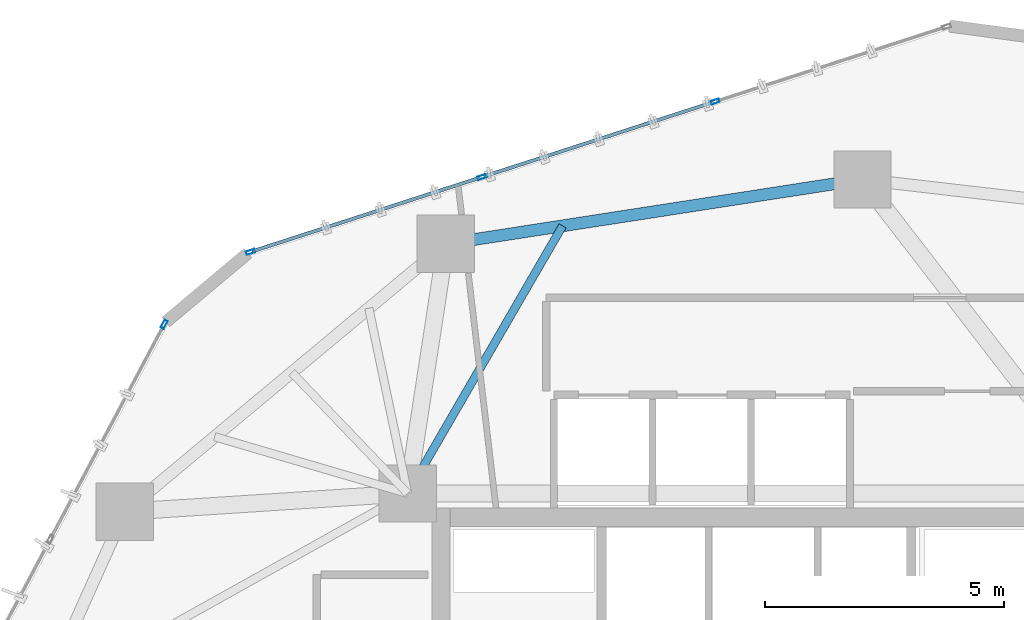
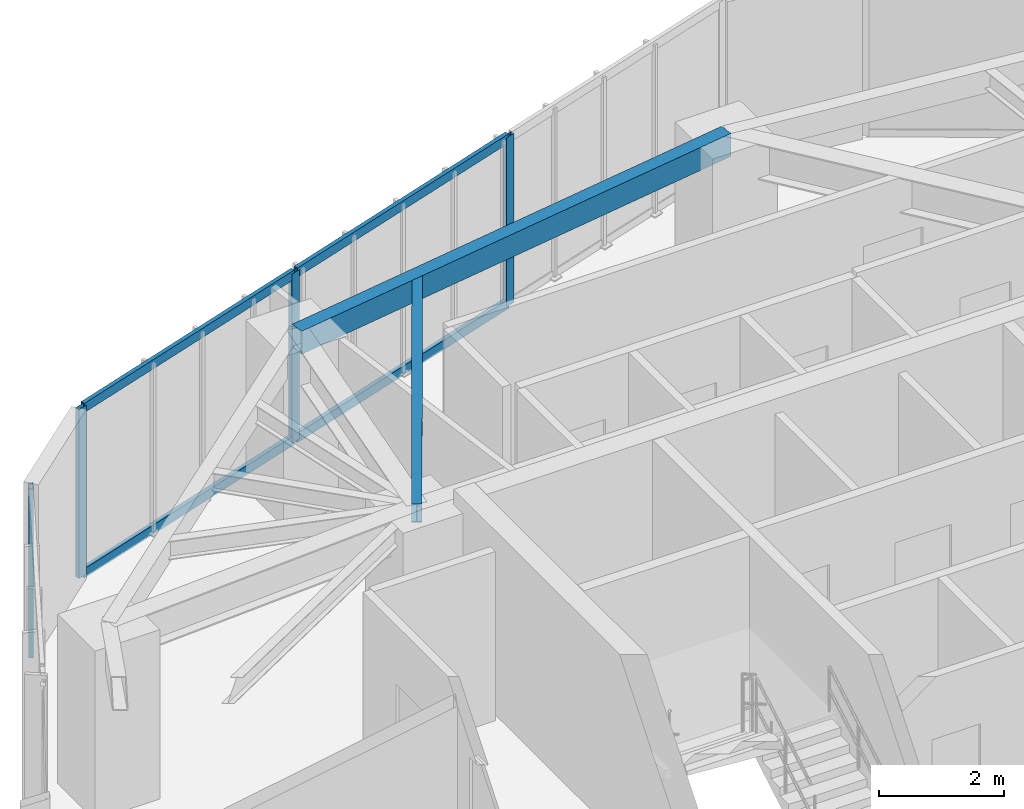
# One storey, part 12 of 21: 8 members, 2 beams, 2 elements without a shape of their own.
"""IFC4 building model written with IfcOpenShell, lengths in metres."""

from ifc_helpers import new_model, si_unit, direction, frame, origin, origin_2d, place, context, subcontext, project, spatial, hollow_rectangle, i_section, extrude, source, transform, mapped, material, layer, layer_set, material_profile, profile_set, type_object, type_shapes, element, aggregate, save


model = new_model("IFC4")

# Units and contexts
model_context = context("Model", 3, precision=1e-05, world=origin(), true_north=direction((0.0, 1.0)))
body_context = subcontext(model_context, "Body", "Model", "MODEL_VIEW")
ifc_project = project(units=[si_unit("LENGTHUNIT", "METRE"), si_unit("AREAUNIT", "SQUARE_METRE"), si_unit("VOLUMEUNIT", "CUBIC_METRE"), si_unit("PLANEANGLEUNIT", "RADIAN"), si_unit("MASSUNIT", "GRAM", prefix="KILO")], contexts=[model_context])

# Site, building, storey
site_placement = place(None, origin())
site = spatial("IfcSite", under=ifc_project, at=site_placement, CompositionType="ELEMENT")
building_placement = place(site_placement, origin())
building = spatial("IfcBuilding", under=site, at=building_placement, Name="Talar Marvaseh", CompositionType="ELEMENT")
storey_placement = place(building_placement, frame((0.0, 0.0, 143.39990234375)))
storey = spatial("IfcBuildingStorey", under=building, at=storey_placement, Name="L37", CompositionType="ELEMENT", Elevation=143.39990234375)

# Beams
ifc_material_1 = material(Name="Steel S355", Category="steel")
ifc_material_profile_1 = material_profile(ifc_material_1, hollow_rectangle(XDim=0.25, YDim=0.449951171875, WallThickness=0.01611328125, at=origin_2d()), Name="RHS450x250x16")
ifc_profile_set_1 = profile_set([ifc_material_profile_1], Name="Steel S355")
beam_type_1 = type_object("IfcBeamType", Name="Zone 2 Perimeter Spandrel Beam RHS450x250x16", PredefinedType="SPANDREL", material=ifc_profile_set_1)
beam_1_placement = place(storey_placement, frame((19.5009765625, 42.123046875, 3.085205078125), z_axis=(0.988248879948, 0.152853365295, 0.0), x_axis=(-0.152853365295, 0.988248879948, 0.0)))
element("IfcBeam", 1, at=beam_1_placement, inside=storey, type_object=beam_type_1, Name="L37 Zone 2 Perimeter Spandrel Beam RHS450x250x16", PredefinedType="SPANDREL", context=body_context, shape_type="SweptSolid", body=[
    extrude(hollow_rectangle(XDim=0.25, YDim=0.449951171875, WallThickness=0.01611328125, at=origin_2d()), origin(), (0.0, 0.0, 1.0), 8.82470703125),
])
ifc_material_profile_2 = material_profile(ifc_material_1, i_section(OverallWidth=0.172119140625, OverallDepth=0.35791015625, WebThickness=0.0078125, FlangeThickness=0.01318359375, at=origin_2d()), Name="W360x57")
ifc_profile_set_2 = profile_set([ifc_material_profile_2], Name="Steel S355")
beam_type_2 = type_object("IfcBeamType", Name="Zone 2 Secondary Floor Joist W360x57", PredefinedType="JOIST", material=ifc_profile_set_2)
beam_2_placement = place(storey_placement, frame((21.94287109375, 42.500732421875, 3.131103515625), z_axis=(-0.501074932228, -0.865403901246, 0.0), x_axis=(0.865403901246, -0.501074932228, 0.0)))
element("IfcBeam", 2, at=beam_2_placement, inside=storey, type_object=beam_type_2, Name="L37 Zone 2 Secondary Floor Joist W360x57", PredefinedType="JOIST", context=body_context, shape_type="SweptSolid", body=[
    extrude(i_section(OverallWidth=0.172119140625, OverallDepth=0.35791015625, WebThickness=0.0078125, FlangeThickness=0.01318359375, at=origin_2d()), origin(), (0.0, 0.0, 1.0), 6.471923828125),
])

# Curtain wall, member
ifc_material_2 = material(Name="Architectural Aluminium", Category="aluminium")
ifc_layer = layer(ifc_material_2, 0.199951171875)
ifc_layer_set = layer_set([ifc_layer], Name="Architectural Aluminium")
curtain_wall_type = type_object("IfcCurtainWallType", Name="Unitised Acoustic Library Curtain Wall Z2", PredefinedType="NOTDEFINED", material=ifc_layer_set)
curtain_wall_1_placement = place(storey_placement, origin())
curtain_wall_1 = element("IfcCurtainWall", 3, at=curtain_wall_1_placement, inside=storey, type_object=curtain_wall_type, Name="L37 Unitised Acoustic Library Curtain Wall Z2", PredefinedType="NOTDEFINED")
ifc_material_profile_3 = material_profile(ifc_material_2, hollow_rectangle(XDim=0.074951171875, YDim=0.179931640625, WallThickness=0.0048828125, at=origin_2d()), Name="RHS180x75x5")
ifc_profile_set_3 = profile_set([ifc_material_profile_3], Name="Architectural Aluminium")
member_type_1 = type_object("IfcMemberType", Name="Unitised Curtain Wall Standard Mullion RHS180x75x5", PredefinedType="MULLION", material=ifc_profile_set_3)
shared_shape_1 = source(origin(), body_context, "Body", "SweptSolid", [
    extrude(hollow_rectangle(XDim=0.074951171875, YDim=0.179931640625, WallThickness=0.0048828125, at=origin_2d()), origin(), (0.0, 0.0, 1.0), 3.31005859375),
])
type_shapes(member_type_1, [shared_shape_1])
member_1_placement = place(storey_placement, frame((13.60400390625, 40.4375, 0.0), z_axis=(0.0, 0.0, 1.0), x_axis=(-0.883504843636, 0.468422022616, 0.0)))
member_1 = element("IfcMember", 4, at=member_1_placement, type_object=member_type_1, Name="CW-Z2 mullion 4", PredefinedType="MULLION", context=body_context, shape_type="MappedRepresentation", body=[
    mapped(shared_shape_1, transform((0.0, 0.0, 0.0), x_axis=(1.0, 0.0, 0.0), y_axis=(0.0, 1.0, 0.0), z_axis=(0.0, 0.0, 1.0), scale=1.0)),
])
aggregate(curtain_wall_1, [member_1])

# Curtain wall, members
curtain_wall_2_placement = place(storey_placement, origin())
curtain_wall_2 = element("IfcCurtainWall", 5, at=curtain_wall_2_placement, inside=storey, type_object=curtain_wall_type, Name="L37 Unitised Acoustic Library Curtain Wall Z2", PredefinedType="NOTDEFINED")
member_2_placement = place(storey_placement, frame((15.41162109375, 41.954345703125, 0.0), z_axis=(0.0, 0.0, 1.0), x_axis=(-0.307886197736, 0.951423191458, 0.0)))
member_2 = element("IfcMember", 6, at=member_2_placement, type_object=member_type_1, Name="CW-Z2 mullion 1", PredefinedType="MULLION", context=body_context, shape_type="MappedRepresentation", body=[
    mapped(shared_shape_1, transform((0.0, 0.0, 0.0), x_axis=(1.0, 0.0, 0.0), y_axis=(0.0, 1.0, 0.0), z_axis=(0.0, 0.0, 1.0), scale=1.0)),
])
member_3_placement = place(storey_placement, frame((20.2568359375, 43.522216796875, 0.0), z_axis=(0.0, 0.0, 1.0), x_axis=(-0.307886197736, 0.951423191458, 0.0)))
member_3 = element("IfcMember", 7, at=member_3_placement, type_object=member_type_1, Name="CW-Z2 mullion 2", PredefinedType="MULLION", context=body_context, shape_type="MappedRepresentation", body=[
    mapped(shared_shape_1, transform((0.0, 0.0, 0.0), x_axis=(1.0, 0.0, 0.0), y_axis=(0.0, 1.0, 0.0), z_axis=(0.0, 0.0, 1.0), scale=1.0)),
])
member_4_placement = place(storey_placement, frame((25.137451171875, 45.101806640625, 0.0), z_axis=(0.0, 0.0, 1.0), x_axis=(-0.307886197736, 0.951423191458, 0.0)))
member_4 = element("IfcMember", 8, at=member_4_placement, type_object=member_type_1, Name="CW-Z2 mullion 3", PredefinedType="MULLION", context=body_context, shape_type="MappedRepresentation", body=[
    mapped(shared_shape_1, transform((0.0, 0.0, 0.0), x_axis=(1.0, 0.0, 0.0), y_axis=(0.0, 1.0, 0.0), z_axis=(0.0, 0.0, 1.0), scale=1.0)),
])
ifc_material_profile_4 = material_profile(ifc_material_2, hollow_rectangle(XDim=0.074951171875, YDim=0.179931640625, WallThickness=0.0048828125, at=origin_2d()), Name="RHS180x75x5")
ifc_profile_set_4 = profile_set([ifc_material_profile_4], Name="Architectural Aluminium")
member_type_2 = type_object("IfcMemberType", Name="Unitised Curtain Wall Transom RHS180x75x5", PredefinedType="USERDEFINED", material=ifc_profile_set_4)
shared_shape_2 = source(origin(), body_context, "Body", "SweptSolid", [
    extrude(hollow_rectangle(XDim=0.074951171875, YDim=0.179931640625, WallThickness=0.0048828125, at=origin_2d()), origin(), (0.0, 0.0, 1.0), 5.054931640625),
])
member_5_placement = place(storey_placement, frame((20.29248046875, 43.53369140625, 0.03759765625), z_axis=(0.951419137208, 0.307898725808, 0.0), x_axis=(-0.307898725808, 0.951419137208, 0.0)))
member_5 = element("IfcMember", 9, at=member_5_placement, type_object=member_type_2, Name="CW-Z2 transom 2.1", ObjectType="TRANSOM", PredefinedType="USERDEFINED", context=body_context, shape_type="MappedRepresentation", body=[
    mapped(shared_shape_2, transform((0.0, 0.0, 0.0), x_axis=(1.0, 0.0, 0.0), y_axis=(0.0, 1.0, 0.0), z_axis=(0.0, 0.0, 1.0), scale=1.0)),
])
member_6_placement = place(storey_placement, frame((20.29248046875, 43.53369140625, 3.272705078125), z_axis=(0.951419137208, 0.307898725808, 0.0), x_axis=(-0.307898725808, 0.951419137208, 0.0)))
member_6 = element("IfcMember", 10, at=member_6_placement, type_object=member_type_2, Name="CW-Z2 transom 2.2", ObjectType="TRANSOM", PredefinedType="USERDEFINED", context=body_context, shape_type="MappedRepresentation", body=[
    mapped(shared_shape_2, transform((0.0, 0.0, 0.0), x_axis=(1.0, 0.0, 0.0), y_axis=(0.0, 1.0, 0.0), z_axis=(0.0, 0.0, 1.0), scale=1.0)),
])
shared_shape_3 = source(origin(), body_context, "Body", "SweptSolid", [
    extrude(hollow_rectangle(XDim=0.074951171875, YDim=0.179931640625, WallThickness=0.0048828125, at=origin_2d()), origin(), (0.0, 0.0, 1.0), 5.017333984375),
])
type_shapes(member_type_2, [shared_shape_2, shared_shape_3])
member_7_placement = place(storey_placement, frame((15.447265625, 41.9658203125, 0.03759765625), z_axis=(0.951415593726, 0.307909675093, 0.0), x_axis=(-0.307909675093, 0.951415593726, 0.0)))
member_7 = element("IfcMember", 11, at=member_7_placement, type_object=member_type_2, Name="CW-Z2 transom 1.1", ObjectType="TRANSOM", PredefinedType="USERDEFINED", context=body_context, shape_type="MappedRepresentation", body=[
    mapped(shared_shape_3, transform((0.0, 0.0, 0.0), x_axis=(1.0, 0.0, 0.0), y_axis=(0.0, 1.0, 0.0), z_axis=(0.0, 0.0, 1.0), scale=1.0)),
])
member_8_placement = place(storey_placement, frame((15.447265625, 41.9658203125, 3.272705078125), z_axis=(0.951415593726, 0.307909675093, 0.0), x_axis=(-0.307909675093, 0.951415593726, 0.0)))
member_8 = element("IfcMember", 12, at=member_8_placement, type_object=member_type_2, Name="CW-Z2 transom 1.2", ObjectType="TRANSOM", PredefinedType="USERDEFINED", context=body_context, shape_type="MappedRepresentation", body=[
    mapped(shared_shape_3, transform((0.0, 0.0, 0.0), x_axis=(1.0, 0.0, 0.0), y_axis=(0.0, 1.0, 0.0), z_axis=(0.0, 0.0, 1.0), scale=1.0)),
])
aggregate(curtain_wall_2, [member_2, member_3, member_4, member_7, member_8, member_5, member_6])

save(model, "model.ifc")
